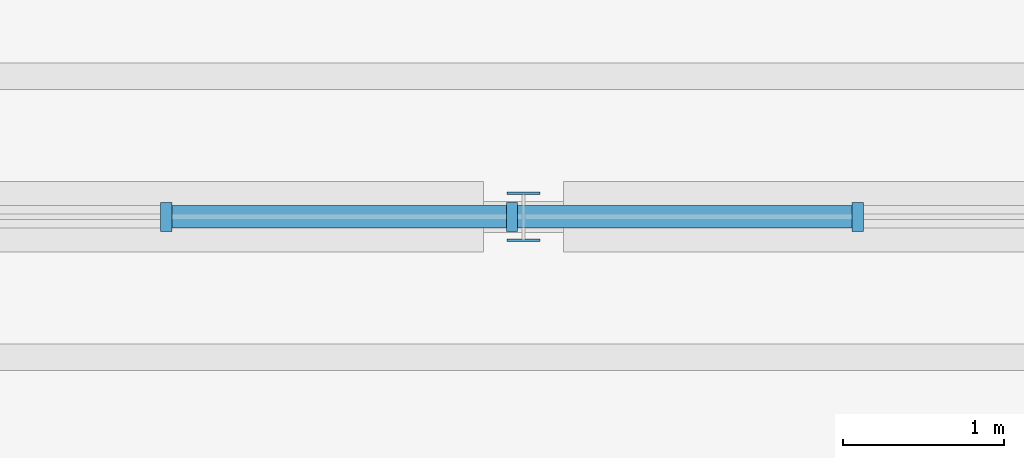
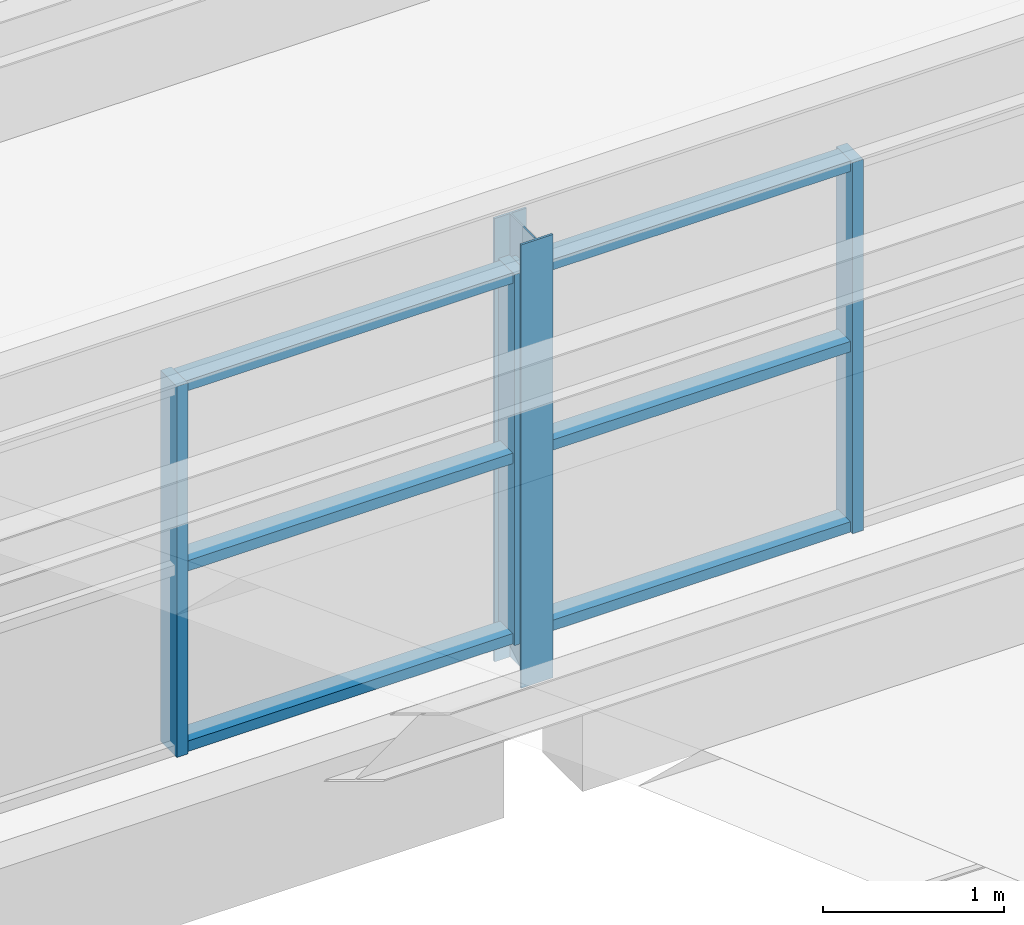
# One storey, part 22 of 92: 10 members, 1 element without a shape of its own.
"""IFC4 building model written with IfcOpenShell, lengths in metres."""

import ifcopenshell
import ifcopenshell.guid

model = None  # the IFC model being written
_history = None  # IfcOwnerHistory: only IFC2X3 demands one
_inside = {}  # id of a spatial element -> (the spatial element, [elements in it])
_under = {}  # id of a project, library or spatial element -> (it, [spatial elements below it])
_declared = {}  # id of a project -> (the project, [libraries it declares])
_typed = {}  # id of a type object -> (the type object, [elements of that type])
_made_of = {}  # id of a material, layer set ... -> (it, [elements and type objects made of it])


def new_model(schema):
    """Start an empty IFC model of exactly this schema.

    Asked for "IFC4X3", IfcOpenShell would pick the latest addendum, in which some entities
    have other attributes; the version numbers below select the first issue.
    IFC2X3 requires an IfcOwnerHistory on every rooted entity: one is made here for all.
    """
    global model, _history
    if schema == "IFC4X3":
        model = ifcopenshell.file(schema_version=(4, 3, 0, 0))
    else:
        model = ifcopenshell.file(schema=schema)
    _inside.clear()
    _under.clear()
    _declared.clear()
    _typed.clear()
    _made_of.clear()
    _history = None
    if model.schema == "IFC2X3":
        org = make("IfcOrganization", Name="unknown")
        user = make(
            "IfcPersonAndOrganization",
            ThePerson=make("IfcPerson", FamilyName="unknown"),
            TheOrganization=org,
        )
        app = make(
            "IfcApplication",
            ApplicationDeveloper=org,
            Version="unknown",
            ApplicationFullName="unknown",
            ApplicationIdentifier="unknown",
        )
        _history = make(
            "IfcOwnerHistory",
            OwningUser=user,
            OwningApplication=app,
            ChangeAction="ADDED",
            CreationDate=0,
        )
    return model


def make(cls, **values):
    """One entity of the class cls with the attributes given. An attribute that is None is left unset."""
    return model.create_entity(
        cls, **{name: value for name, value in values.items() if value is not None}
    )


def rooted(cls, **values):
    """An entity with a GlobalId (a new one), such as an element, a storey or a relation."""
    return make(cls, GlobalId=ifcopenshell.guid.new(), OwnerHistory=_history, **values)


def si_unit(unit_type, name, prefix=None):
    """IfcSIUnit, for example si_unit("LENGTHUNIT", "METRE", prefix="MILLI")."""
    return make("IfcSIUnit", UnitType=unit_type, Prefix=prefix, Name=name)


def assignment(units):
    """IfcUnitAssignment: the units of a project."""
    return None if units is None else make("IfcUnitAssignment", Units=units)


def point(xyz):
    """IfcCartesianPoint."""
    return None if xyz is None else make("IfcCartesianPoint", Coordinates=xyz)


def direction(xyz):
    """IfcDirection."""
    return None if xyz is None else make("IfcDirection", DirectionRatios=xyz)


def frame(location, z_axis=None, x_axis=None):
    """IfcAxis2Placement3D, a coordinate frame: its origin and axes. An axis left out is left unset."""
    return make(
        "IfcAxis2Placement3D",
        Location=point(location),
        Axis=direction(z_axis),
        RefDirection=direction(x_axis),
    )


def frame_2d(location, x_axis=None):
    """IfcAxis2Placement2D, a coordinate frame in the plane: its origin and x axis."""
    return make(
        "IfcAxis2Placement2D", Location=point(location), RefDirection=direction(x_axis)
    )


def origin():
    """The frame at (0, 0, 0) with its axes left unset."""
    return frame((0.0, 0.0, 0.0))


def origin_2d():
    """The frame at (0, 0) in the plane with its x axis left unset."""
    return frame_2d((0.0, 0.0))


def place(relative_to, where):
    """IfcLocalPlacement: puts the frame where relative to a parent placement (None: the world)."""
    return make(
        "IfcLocalPlacement", PlacementRelTo=relative_to, RelativePlacement=where
    )


def context(
    kind, dimensions, precision=None, world=None, true_north=None, identifier=None
):
    """IfcGeometricRepresentationContext, for example the 3D "Model" context."""
    return make(
        "IfcGeometricRepresentationContext",
        ContextIdentifier=identifier,
        ContextType=kind,
        CoordinateSpaceDimension=dimensions,
        Precision=precision,
        WorldCoordinateSystem=world,
        TrueNorth=true_north,
    )


def subcontext(parent, identifier, kind, view, scale=None):
    """IfcGeometricRepresentationSubContext, for example "Body" below "Model"."""
    return make(
        "IfcGeometricRepresentationSubContext",
        ContextIdentifier=identifier,
        ContextType=kind,
        ParentContext=parent,
        TargetScale=scale,
        TargetView=view,
    )


def project(units=None, contexts=None):
    """IfcProject with its units and contexts."""
    return rooted(
        "IfcProject",
        Name="project",
        RepresentationContexts=contexts,
        UnitsInContext=assignment(units),
    )


def spatial(cls, under=None, at=None, **own):
    """A site, building, storey or space (cls), placed at a placement, below another one or the project."""
    s = rooted(cls, ObjectPlacement=at, **own)
    if under is not None:
        _under.setdefault(under.id(), (under, []))[1].append(s)
    return s


def profile(cls, at=None, kind="AREA", **sizes):
    """A parametric profile (cls). Its sizes go by their IFC names, for example OverallWidth=200.0."""
    return make(cls, ProfileType=kind, Position=at, **sizes)


def rectangle(**sizes):
    """IfcRectangleProfileDef."""
    return profile("IfcRectangleProfileDef", **sizes)


def i_section(**sizes):
    """IfcIShapeProfileDef."""
    return profile("IfcIShapeProfileDef", **sizes)


def extrude(swept, where, along, depth):
    """IfcExtrudedAreaSolid: the profile swept, set in the frame where, extruded along a direction by depth."""
    return make(
        "IfcExtrudedAreaSolid",
        SweptArea=swept,
        Position=where,
        ExtrudedDirection=direction(along),
        Depth=depth,
    )


def shape(context_of_items, identifier, shape_type, items):
    """IfcShapeRepresentation: the items that make up one representation, for example the "Body"."""
    return make(
        "IfcShapeRepresentation",
        ContextOfItems=context_of_items,
        RepresentationIdentifier=identifier,
        RepresentationType=shape_type,
        Items=items,
    )


def material(Name=None, Category=None):
    """IfcMaterial."""
    return make("IfcMaterial", Name=Name, Category=Category)


def material_profile(
    of_material, cross_section, Name=None, Category=None, Priority=None
):
    """IfcMaterialProfile: a cross section and its material."""
    return make(
        "IfcMaterialProfile",
        Name=Name,
        Material=of_material,
        Profile=cross_section,
        Priority=Priority,
        Category=Category,
    )


def profile_set(profiles, Name=None, composite=None):
    """IfcMaterialProfileSet."""
    return make(
        "IfcMaterialProfileSet",
        Name=Name,
        MaterialProfiles=profiles,
        CompositeProfile=composite,
    )


def made_of(thing, what):
    """Note that an element or type object is made of a material, layer set ...; save() writes the relation."""
    if what is not None:
        _made_of.setdefault(what.id(), (what, []))[1].append(thing)
    return thing


def type_object(cls, material=None, **own):
    """A type object (cls), such as IfcWallType, which elements share."""
    return made_of(rooted(cls, **own), material)


def element(
    cls,
    number,
    at=None,
    inside=None,
    cuts=None,
    type_object=None,
    material=None,
    context=None,
    identifier="Body",
    shape_type=None,
    held_by="IfcProductDefinitionShape",
    body=None,
    shapes=None,
    **own,
):
    """One element of the class cls, such as IfcWall. Its Tag is "e" and its number.

    at: its placement. inside: the storey or other place that contains it. cuts: it is an
    opening in that element (IfcRelVoidsElement). A single representation is given by context,
    identifier, shape_type and body (its items); several are given by shapes. held_by: the class
    of the entity that holds the representations. save() writes the other relations.
    """
    e = rooted(cls, Tag="e%d" % number, ObjectPlacement=at, **own)
    if body is not None:
        shapes = [shape(context, identifier, shape_type, body)]
    if shapes is not None:
        e.Representation = make(held_by, Representations=shapes)
    if inside is not None:
        _inside.setdefault(inside.id(), (inside, []))[1].append(e)
    if cuts is not None:
        rooted(
            "IfcRelVoidsElement", RelatingBuildingElement=cuts, RelatedOpeningElement=e
        )
    if type_object is not None:
        _typed.setdefault(type_object.id(), (type_object, []))[1].append(e)
    return made_of(e, material)


def aggregate(whole, parts):
    """IfcRelAggregates: a whole, such as a stair, and the parts it consists of."""
    return rooted("IfcRelAggregates", RelatingObject=whole, RelatedObjects=parts)


def save(model, path):
    """Write the relations noted so far, then the file.

    IfcRelAggregates (storeys below a building ...), IfcRelContainedInSpatialStructure (elements
    in a storey), IfcRelDefinesByType, IfcRelAssociatesMaterial and IfcRelDeclares: one each for
    every whole, place, type object, material and project.
    """
    for whole, parts in _under.values():
        aggregate(whole, parts)
    for where, things in _inside.values():
        rooted(
            "IfcRelContainedInSpatialStructure",
            RelatedElements=things,
            RelatingStructure=where,
        )
    for kind, things in _typed.values():
        rooted("IfcRelDefinesByType", RelatedObjects=things, RelatingType=kind)
    for what, things in _made_of.values():
        rooted("IfcRelAssociatesMaterial", RelatedObjects=things, RelatingMaterial=what)
    for by, libraries in _declared.values():
        rooted("IfcRelDeclares", RelatingContext=by, RelatedDefinitions=libraries)
    model.write(path)


model = new_model("IFC4")

# Units and contexts
model_context = context("Model", 3, precision=1e-05, world=origin(), true_north=direction((0.0, 1.0)))
body_context = subcontext(model_context, "Body", "Model", "MODEL_VIEW")
ifc_project = project(units=[si_unit("LENGTHUNIT", "METRE"), si_unit("AREAUNIT", "SQUARE_METRE"), si_unit("VOLUMEUNIT", "CUBIC_METRE"), si_unit("PLANEANGLEUNIT", "RADIAN"), si_unit("MASSUNIT", "GRAM", prefix="KILO")], contexts=[model_context])

# Site, building, storey
site_placement = place(None, origin())
site = spatial("IfcSite", under=ifc_project, at=site_placement, CompositionType="ELEMENT")
building_placement = place(site_placement, origin())
building = spatial("IfcBuilding", under=site, at=building_placement, Name="Ciguamira Faculty of Natural Sciences", CompositionType="ELEMENT")
storey_placement = place(building_placement, frame((0.0, 0.0, 16.800048828125)))
storey = spatial("IfcBuildingStorey", under=building, at=storey_placement, Name="L04", CompositionType="ELEMENT", Elevation=16.800048828125)

# Curtain wall, members
ifc_material_1 = material(Name="Anodized aluminium curtain wall", Category="aluminium")
curtain_wall_type = type_object("IfcCurtainWallType", Name="CurtainWall_CW-02", PredefinedType="USERDEFINED", material=ifc_material_1)
curtain_wall_placement = place(storey_placement, origin())
curtain_wall = element("IfcCurtainWall", 1, at=curtain_wall_placement, inside=storey, type_object=curtain_wall_type, Name="V4 north-light wave 1 clerestory glazing 1", ObjectType="UNITISED CURTAIN WALL", PredefinedType="USERDEFINED")
ifc_material_2 = material(Name="Anodized aluminium mullion", Category="aluminium")
ifc_material_profile_1 = material_profile(ifc_material_2, rectangle(XDim=0.070068359375, YDim=0.179931640625, at=origin_2d()), Name="ALU-MUL-70X180")
ifc_profile_set_1 = profile_set([ifc_material_profile_1], Name="Anodized aluminium mullion")
member_type_1 = type_object("IfcMemberType", Name="CWMullion_CWM-02", PredefinedType="MULLION", material=ifc_profile_set_1)
member_1_placement = place(storey_placement, frame((88.076171875, 45.0, 0.25), z_axis=(0.0, 0.0, 1.0), x_axis=(1.0, 0.0, 0.0)))
member_1 = element("IfcMember", 2, at=member_1_placement, type_object=member_type_1, Name="CW-02 mullion 12", PredefinedType="MULLION", context=body_context, shape_type="SweptSolid", body=[
    extrude(rectangle(XDim=0.070068359375, YDim=0.179931640625, at=origin_2d()), origin(), (0.0, 0.0, 1.0), 2.5),
])
member_2_placement = place(storey_placement, frame((90.228515625, 45.0, 0.25), z_axis=(0.0, 0.0, 1.0), x_axis=(1.0, 0.0, 0.0)))
member_2 = element("IfcMember", 3, at=member_2_placement, type_object=member_type_1, Name="CW-02 mullion 13", PredefinedType="MULLION", context=body_context, shape_type="SweptSolid", body=[
    extrude(rectangle(XDim=0.070068359375, YDim=0.179931640625, at=origin_2d()), origin(), (0.0, 0.0, 1.0), 2.5),
])
member_3_placement = place(storey_placement, frame((92.380859375, 45.0, 0.25), z_axis=(0.0, 0.0, 1.0), x_axis=(1.0, 0.0, 0.0)))
member_3 = element("IfcMember", 4, at=member_3_placement, type_object=member_type_1, Name="CW-02 mullion 14", PredefinedType="MULLION", context=body_context, shape_type="SweptSolid", body=[
    extrude(rectangle(XDim=0.070068359375, YDim=0.179931640625, at=origin_2d()), origin(), (0.0, 0.0, 1.0), 2.5),
])
ifc_material_3 = material(Name="Anodized aluminium transom", Category="aluminium")
ifc_material_profile_2 = material_profile(ifc_material_3, rectangle(XDim=0.070068359375, YDim=0.139892578125, at=origin_2d()), Name="ALU-TRN-70X140")
ifc_profile_set_2 = profile_set([ifc_material_profile_2], Name="Anodized aluminium transom")
member_type_2 = type_object("IfcMemberType", Name="CWTransom_CWT-02", PredefinedType="USERDEFINED", material=ifc_profile_set_2)
member_4_placement = place(storey_placement, frame((88.111083984375, 45.0, 0.284912109375), z_axis=(1.0, 0.0, 0.0), x_axis=(0.0, 0.0, 1.0)))
member_4 = element("IfcMember", 5, at=member_4_placement, type_object=member_type_2, Name="CW-02 transom 12.1", ObjectType="TRANSOM", PredefinedType="USERDEFINED", context=body_context, shape_type="SweptSolid", body=[
    extrude(rectangle(XDim=0.070068359375, YDim=0.139892578125, at=origin_2d()), origin(), (0.0, 0.0, 1.0), 2.08251953125),
])
member_5_placement = place(storey_placement, frame((88.111083984375, 45.0, 1.5), z_axis=(1.0, 0.0, 0.0), x_axis=(0.0, 0.0, 1.0)))
member_5 = element("IfcMember", 6, at=member_5_placement, type_object=member_type_2, Name="CW-02 transom 12.2", ObjectType="TRANSOM", PredefinedType="USERDEFINED", context=body_context, shape_type="SweptSolid", body=[
    extrude(rectangle(XDim=0.070068359375, YDim=0.139892578125, at=origin_2d()), origin(), (0.0, 0.0, 1.0), 2.08251953125),
])
member_6_placement = place(storey_placement, frame((88.111083984375, 45.0, 2.71484375), z_axis=(1.0, 0.0, 0.0), x_axis=(0.0, 0.0, 1.0)))
member_6 = element("IfcMember", 7, at=member_6_placement, type_object=member_type_2, Name="CW-02 transom 12.3", ObjectType="TRANSOM", PredefinedType="USERDEFINED", context=body_context, shape_type="SweptSolid", body=[
    extrude(rectangle(XDim=0.070068359375, YDim=0.139892578125, at=origin_2d()), origin(), (0.0, 0.0, 1.0), 2.08251953125),
])
member_7_placement = place(storey_placement, frame((90.263671875, 45.0, 0.284912109375), z_axis=(1.0, 0.0, 0.0), x_axis=(0.0, 0.0, 1.0)))
member_7 = element("IfcMember", 8, at=member_7_placement, type_object=member_type_2, Name="CW-02 transom 13.1", ObjectType="TRANSOM", PredefinedType="USERDEFINED", context=body_context, shape_type="SweptSolid", body=[
    extrude(rectangle(XDim=0.070068359375, YDim=0.139892578125, at=origin_2d()), origin(), (0.0, 0.0, 1.0), 2.082275390625),
])
member_8_placement = place(storey_placement, frame((90.263671875, 45.0, 1.5), z_axis=(1.0, 0.0, 0.0), x_axis=(0.0, 0.0, 1.0)))
member_8 = element("IfcMember", 9, at=member_8_placement, type_object=member_type_2, Name="CW-02 transom 13.2", ObjectType="TRANSOM", PredefinedType="USERDEFINED", context=body_context, shape_type="SweptSolid", body=[
    extrude(rectangle(XDim=0.070068359375, YDim=0.139892578125, at=origin_2d()), origin(), (0.0, 0.0, 1.0), 2.082275390625),
])
member_9_placement = place(storey_placement, frame((90.263671875, 45.0, 2.71484375), z_axis=(1.0, 0.0, 0.0), x_axis=(0.0, 0.0, 1.0)))
member_9 = element("IfcMember", 10, at=member_9_placement, type_object=member_type_2, Name="CW-02 transom 13.3", ObjectType="TRANSOM", PredefinedType="USERDEFINED", context=body_context, shape_type="SweptSolid", body=[
    extrude(rectangle(XDim=0.070068359375, YDim=0.139892578125, at=origin_2d()), origin(), (0.0, 0.0, 1.0), 2.082275390625),
])
aggregate(curtain_wall, [member_1, member_2, member_3, member_4, member_5, member_6, member_7, member_8, member_9])

# Member
ifc_material_4 = material(Name="Steel ASTM A992 Grade 50", Category="steel")
ifc_material_profile_3 = material_profile(ifc_material_4, i_section(OverallWidth=0.20458984375, OverallDepth=0.307373046875, WebThickness=0.008544921875, FlangeThickness=0.0146484375, at=origin_2d()), Name="W12X45")
ifc_profile_set_3 = profile_set([ifc_material_profile_3], Name="Steel ASTM A992 Grade 50")
member_type_3 = type_object("IfcMemberType", Name="SteelMember_TS-01_W12X45", PredefinedType="STRUT", material=ifc_profile_set_3)
member_10_placement = place(storey_placement, frame((90.300048828125, 45.0, 0.0), z_axis=(0.0, 0.0, 1.0), x_axis=(1.0, 0.0, 0.0)))
element("IfcMember", 11, at=member_10_placement, inside=storey, type_object=member_type_3, Name="V4 north-light wave 1 clerestory post 90", PredefinedType="STRUT", context=body_context, shape_type="SweptSolid", body=[
    extrude(i_section(OverallWidth=0.20458984375, OverallDepth=0.307373046875, WebThickness=0.008544921875, FlangeThickness=0.0146484375, at=origin_2d()), origin(), (0.0, 0.0, 1.0), 2.986328125),
])

save(model, "model.ifc")
